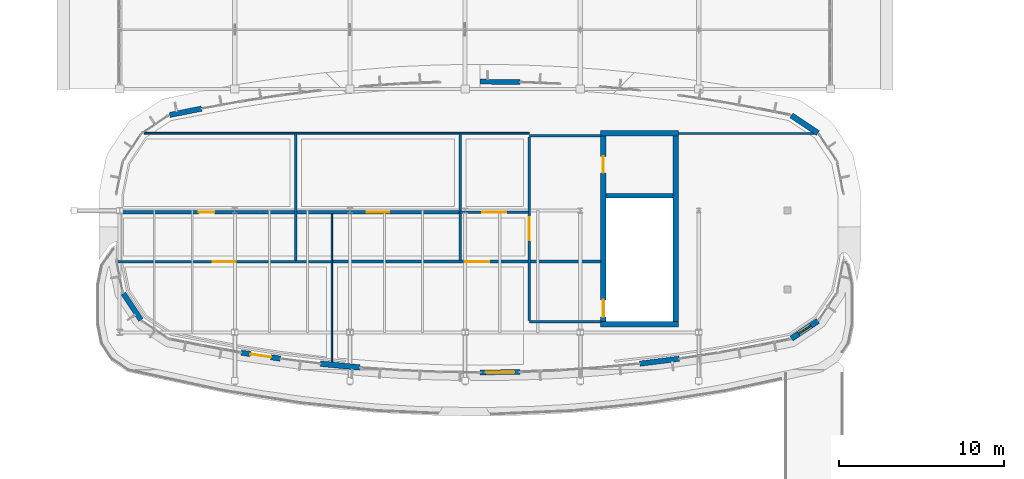
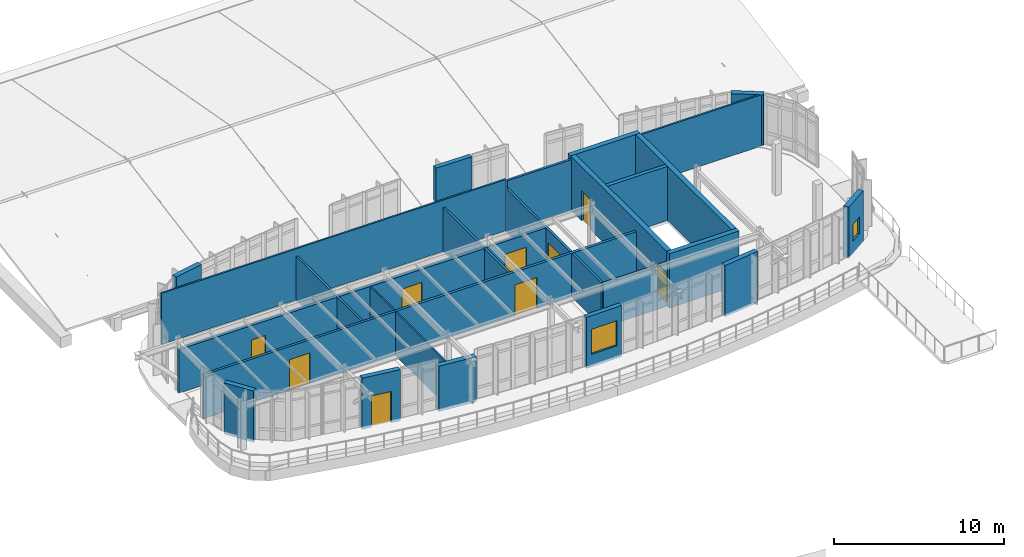
# One storey, part 85 of 105: 27 walls, 9 doors, 2 windows, 11 openings.
"""IFC4 building model written with IfcOpenShell, lengths in metres."""

from ifc_helpers import new_model, si_unit, direction, frame, frame_2d, origin, place, context, subcontext, project, spatial, rectangle, extrude, material, layer, layer_set, type_object, element, fill, save


model = new_model("IFC4")

# Units and contexts
model_context = context("Model", 3, precision=1e-05, world=origin(), true_north=direction((0.0, 1.0)))
body_context = subcontext(model_context, "Body", "Model", "MODEL_VIEW")
ifc_project = project(units=[si_unit("LENGTHUNIT", "METRE"), si_unit("AREAUNIT", "SQUARE_METRE"), si_unit("VOLUMEUNIT", "CUBIC_METRE"), si_unit("PLANEANGLEUNIT", "RADIAN"), si_unit("MASSUNIT", "GRAM", prefix="KILO")], contexts=[model_context])

# Site, building, storey
site_placement = place(None, origin())
site = spatial("IfcSite", under=ifc_project, at=site_placement, CompositionType="ELEMENT")
building_placement = place(site_placement, origin())
building = spatial("IfcBuilding", under=site, at=building_placement, Name="Corveleigh Park Community Centre", CompositionType="ELEMENT")
storey_placement = place(building_placement, frame((0.0, 0.0, 8.699951171875)))
storey = spatial("IfcBuildingStorey", under=building, at=storey_placement, Name="L02", CompositionType="ELEMENT", Elevation=8.699951171875)

# Wall, opening, window
ifc_material_1 = material(Name="Precast concrete C40/50", Category="concrete")
ifc_layer_1 = layer(ifc_material_1, 0.300048828125, Name="Precast concrete C40/50", Category="concrete")
ifc_layer_set_1 = layer_set([ifc_layer_1], Name="Precast concrete C40/50")
wall_type_1 = type_object("IfcWallType", Name="WL-EXT-300", PredefinedType="STANDARD", material=ifc_layer_set_1)
wall_1_placement = place(storey_placement, frame((35.52197265625, 75.593017578125, 0.0), z_axis=(0.0, 0.0, 1.0), x_axis=(-0.999906736586, -0.013657164047, 0.0)))
wall_1 = element("IfcWall", 1, at=wall_1_placement, inside=storey, type_object=wall_type_1, Name="V2 L02 Precast Facade Wall", PredefinedType="STANDARD", context=body_context, shape_type="SweptSolid", body=[
    extrude(rectangle(XDim=2.413330078125, YDim=0.300048828125, at=frame_2d((1.20654296875, 0.0))), origin(), (0.0, 0.0, 1.0), 3.679931640625),
])
opening_1_placement = place(wall_1_placement, frame((0.3310546875, 0.0, 0.89990234375)))
opening_1 = element("IfcOpeningElement", 2, at=opening_1_placement, cuts=wall_1, Name="Opening W15", PredefinedType="OPENING", context=body_context, shape_type="SweptSolid", body=[
    extrude(rectangle(XDim=1.75, YDim=1.800048828125, at=frame_2d((0.875, 0.89990234375))), frame((0.0, 0.159912109375, 0.0), z_axis=(0.0, -1.0, 0.0), x_axis=(1.0, 0.0, 0.0)), (0.0, 0.0, 1.0), 0.320068359375),
])
ifc_material_2 = material(Name="Low-E double glazing", Category="glass")
window_type_1 = type_object("IfcWindowType", Name="WIN-EXT-1750x1800", PartitioningType="SINGLE_PANEL", PredefinedType="WINDOW", material=ifc_material_2)
window_1_placement = place(opening_1_placement, origin())
window_1 = element("IfcWindow", 3, at=window_1_placement, inside=storey, type_object=window_type_1, Name="V2 L02 Window 63", OverallHeight=1.800048828125, OverallWidth=1.75, PartitioningType="SINGLE_PANEL", PredefinedType="WINDOW", context=body_context, shape_type="SweptSolid", body=[
    extrude(rectangle(XDim=1.75, YDim=1.800048828125, at=frame_2d((0.875, 0.89990234375))), frame((0.0, 0.030029296875, 0.0), z_axis=(0.0, -1.0, 0.0), x_axis=(1.0, 0.0, 0.0)), (0.0, 0.0, 1.0), 0.06005859375),
])
fill(opening_1, window_1)

# Wall
wall_2_placement = place(storey_placement, frame((33.10888671875, 93.239990234375, 0.0), z_axis=(0.0, 0.0, 1.0), x_axis=(0.999906736586, -0.013657164047, 0.0)))
element("IfcWall", 4, at=wall_2_placement, inside=storey, type_object=wall_type_1, Name="V2 L02 Precast Facade Wall", PredefinedType="STANDARD", context=body_context, shape_type="SweptSolid", body=[
    extrude(rectangle(XDim=2.413330078125, YDim=0.300048828125, at=frame_2d((1.20654296875, 0.0))), origin(), (0.0, 0.0, 1.0), 3.679931640625),
])

# Wall, opening, door
ifc_layer_2 = layer(ifc_material_1, 0.320068359375, Name="Precast concrete C40/50", Category="concrete")
ifc_layer_set_2 = layer_set([ifc_layer_2], Name="Precast concrete C40/50")
wall_type_2 = type_object("IfcWallType", Name="WL-EXT-320", PredefinedType="STANDARD", material=ifc_layer_set_2)
wall_3_placement = place(storey_placement, frame((20.970947265625, 76.39892578125, 0.0), z_axis=(0.0, 0.0, 1.0), x_axis=(-0.98843127708, 0.151669411848, 0.0)))
wall_3 = element("IfcWall", 5, at=wall_3_placement, inside=storey, type_object=wall_type_2, Name="V2 terrace wall", PredefinedType="STANDARD", context=body_context, shape_type="SweptSolid", body=[
    extrude(rectangle(XDim=2.412841796875, YDim=0.320068359375, at=frame_2d((1.20654296875, 0.0))), origin(), (0.0, 0.0, 1.0), 3.679931640625),
])
opening_2_placement = place(wall_3_placement, frame((0.575927734375, 0.0, 0.0)))
opening_2 = element("IfcOpeningElement", 6, at=opening_2_placement, cuts=wall_3, Name="Opening ED03", PredefinedType="OPENING", context=body_context, shape_type="SweptSolid", body=[
    extrude(rectangle(XDim=1.260009765625, YDim=2.260009765625, at=frame_2d((0.6298828125, 1.1298828125))), frame((0.0, 0.169921875, 0.0), z_axis=(0.0, -1.0, 0.0), x_axis=(1.0, 0.0, 0.0)), (0.0, 0.0, 1.0), 0.340087890625),
])
ifc_material_3 = material(Name="Powder-coated aluminium glazed door", Category="aluminium")
door_type_1 = type_object("IfcDoorType", Name="DR-EXT-1260x2260", OperationType="NOTDEFINED", PredefinedType="DOOR", material=ifc_material_3)
door_1_placement = place(opening_2_placement, origin())
door_1 = element("IfcDoor", 7, at=door_1_placement, inside=storey, type_object=door_type_1, Name="Sports Studio Courtyard Terrace access door", OperationType="SINGLE_SWING_LEFT", OverallHeight=2.260009765625, OverallWidth=1.260009765625, PredefinedType="DOOR", context=body_context, shape_type="SweptSolid", body=[
    extrude(rectangle(XDim=1.260009765625, YDim=2.260009765625, at=frame_2d((0.6298828125, 1.1298828125))), frame((0.0, 0.02490234375, 0.0), z_axis=(0.0, -1.0, 0.0), x_axis=(1.0, 0.0, 0.0)), (0.0, 0.0, 1.0), 0.050048828125),
])
fill(opening_2, door_1)

# Walls
wall_4_placement = place(storey_placement, frame((45.2109375, 76.39697265625, 0.0), z_axis=(0.0, 0.0, 1.0), x_axis=(-0.992243604842, -0.124308602482, 0.0)))
element("IfcWall", 8, at=wall_4_placement, inside=storey, type_object=wall_type_2, Name="V2 L02 Precast Facade Wall", PredefinedType="STANDARD", context=body_context, shape_type="SweptSolid", body=[
    extrude(rectangle(XDim=2.413818359375, YDim=0.320068359375, at=frame_2d((1.20703125, 0.0))), origin(), (0.0, 0.0, 1.0), 3.679931640625),
])
wall_5_placement = place(storey_placement, frame((14.243896484375, 91.214111328125, 0.0), z_axis=(0.0, 0.0, 1.0), x_axis=(0.980837238623, 0.194828928369, 0.0)))
element("IfcWall", 9, at=wall_5_placement, inside=storey, type_object=wall_type_2, Name="V2 L02 Precast Facade Wall", PredefinedType="STANDARD", context=body_context, shape_type="SweptSolid", body=[
    extrude(rectangle(XDim=1.969970703125, YDim=0.320068359375, at=frame_2d((0.98486328125, 0.0))), origin(), (0.0, 0.0, 1.0), 3.679931640625),
])
wall_6_placement = place(storey_placement, frame((12.492919921875, 78.7548828125, 0.0), z_axis=(0.0, 0.0, 1.0), x_axis=(-0.555020723602, 0.83183652022, 0.0)))
element("IfcWall", 10, at=wall_6_placement, inside=storey, type_object=wall_type_2, Name="V2 L02 Precast Facade Wall", PredefinedType="STANDARD", context=body_context, shape_type="SweptSolid", body=[
    extrude(rectangle(XDim=1.933349609375, YDim=0.320068359375, at=frame_2d((0.966796875, 0.0))), origin(), (0.0, 0.0, 1.0), 3.679931640625),
])
ifc_layer_3 = layer(ifc_material_1, 0.340087890625, Name="Precast concrete C40/50", Category="concrete")
ifc_layer_set_3 = layer_set([ifc_layer_3], Name="Precast concrete C40/50")
wall_type_3 = type_object("IfcWallType", Name="WL-EXT-340", PredefinedType="STANDARD", material=ifc_layer_set_3)
wall_7_placement = place(storey_placement, frame((25.803955078125, 75.863037109375, 0.0), z_axis=(0.0, 0.0, 1.0), x_axis=(-0.995370018643, 0.096117251241, 0.0)))
element("IfcWall", 11, at=wall_7_placement, inside=storey, type_object=wall_type_3, Name="V2 L02 Precast Facade Wall", PredefinedType="STANDARD", context=body_context, shape_type="SweptSolid", body=[
    extrude(rectangle(XDim=2.4130859375, YDim=0.340087890625, at=frame_2d((1.20654296875, 0.0))), origin(), (0.0, 0.0, 1.0), 3.259033203125),
])

# Wall, opening, window
wall_8_placement = place(storey_placement, frame((53.64501953125, 78.693115234375, 0.0), z_axis=(0.0, 0.0, 1.0), x_axis=(-0.831797612377, -0.55507903225, 0.0)))
wall_8 = element("IfcWall", 12, at=wall_8_placement, inside=storey, type_object=wall_type_3, Name="V2 L02 Precast Facade Wall", PredefinedType="STANDARD", context=body_context, shape_type="SweptSolid", body=[
    extrude(rectangle(XDim=1.93310546875, YDim=0.340087890625, at=frame_2d((0.966552734375, 0.0))), origin(), (0.0, 0.0, 1.0), 3.679931640625),
])
opening_3_placement = place(wall_8_placement, frame((0.51611328125, 0.0, 0.89990234375)))
opening_3 = element("IfcOpeningElement", 13, at=opening_3_placement, cuts=wall_8, Name="Opening W01", PredefinedType="OPENING", context=body_context, shape_type="SweptSolid", body=[
    extrude(rectangle(XDim=0.89990234375, YDim=1.199951171875, at=frame_2d((0.449951171875, 0.60009765625))), frame((0.0, 0.179931640625, 0.0), z_axis=(0.0, -1.0, 0.0), x_axis=(1.0, 0.0, 0.0)), (0.0, 0.0, 1.0), 0.360107421875),
])
window_type_2 = type_object("IfcWindowType", Name="WIN-EXT-0900x1200", PartitioningType="SINGLE_PANEL", PredefinedType="WINDOW", material=ifc_material_2)
window_2_placement = place(opening_3_placement, origin())
window_2 = element("IfcWindow", 14, at=window_2_placement, inside=storey, type_object=window_type_2, Name="V2 L02 Window 64", OverallHeight=1.199951171875, OverallWidth=0.89990234375, PartitioningType="SINGLE_PANEL", PredefinedType="WINDOW", context=body_context, shape_type="SweptSolid", body=[
    extrude(rectangle(XDim=0.89990234375, YDim=1.199951171875, at=frame_2d((0.449951171875, 0.60009765625))), frame((0.0, 0.030029296875, 0.0), z_axis=(0.0, -1.0, 0.0), x_axis=(1.0, 0.0, 0.0)), (0.0, 0.0, 1.0), 0.06005859375),
])
fill(opening_3, window_2)

# Walls
wall_9_placement = place(storey_placement, frame((52.037109375, 91.179931640625, 0.0), z_axis=(0.0, 0.0, 1.0), x_axis=(0.831797612377, -0.55507903225, 0.0)))
element("IfcWall", 15, at=wall_9_placement, inside=storey, type_object=wall_type_3, Name="V2 L02 Precast Facade Wall", PredefinedType="STANDARD", context=body_context, shape_type="SweptSolid", body=[
    extrude(rectangle(XDim=1.93310546875, YDim=0.340087890625, at=frame_2d((0.966552734375, 0.0))), origin(), (0.0, 0.0, 1.0), 3.679931640625),
])
ifc_material_4 = material(Name="Gypsum acoustic stud partition", Category="gypsum")
ifc_layer_4 = layer(ifc_material_4, 0.10009765625, Name="Gypsum acoustic stud partition", Category="gypsum")
ifc_layer_set_4 = layer_set([ifc_layer_4], Name="Gypsum acoustic stud partition")
wall_type_4 = type_object("IfcWallType", Name="WL-PRT-100", PredefinedType="PARTITIONING", material=ifc_layer_set_4)
wall_10_placement = place(storey_placement, frame((24.10009765625, 76.18603515625, 0.0), z_axis=(0.0, 0.0, 1.0), x_axis=(0.0, 1.0, 0.0)))
element("IfcWall", 16, at=wall_10_placement, inside=storey, type_object=wall_type_4, Name="Youth Media Studio partition", PredefinedType="PARTITIONING", context=body_context, shape_type="SweptSolid", body=[
    extrude(rectangle(XDim=9.01806640625, YDim=0.10009765625, at=frame_2d((4.509033203125, 0.0))), origin(), (0.0, 0.0, 1.0), 3.14013671875),
])
ifc_layer_5 = layer(ifc_material_4, 0.114990234375, Name="Gypsum acoustic stud partition", Category="gypsum")
ifc_layer_set_5 = layer_set([ifc_layer_5], Name="Gypsum acoustic stud partition")
wall_type_5 = type_object("IfcWallType", Name="WL-PRT-115", PredefinedType="PARTITIONING", material=ifc_layer_set_5)
wall_11_placement = place(storey_placement, frame((12.68896484375, 90.10009765625, 0.0), z_axis=(0.0, 0.0, 1.0), x_axis=(1.0, 0.0, 0.0)))
element("IfcWall", 17, at=wall_11_placement, inside=storey, type_object=wall_type_5, Name="Youth Mentoring Suite partition", PredefinedType="PARTITIONING", context=body_context, shape_type="SweptSolid", body=[
    extrude(rectangle(XDim=23.4111328125, YDim=0.114990234375, at=frame_2d((11.70556640625, 0.0))), origin(), (0.0, 0.0, 1.0), 3.679931640625),
])
ifc_layer_6 = layer(ifc_material_4, 0.125, Name="Gypsum acoustic stud partition", Category="gypsum")
ifc_layer_set_6 = layer_set([ifc_layer_6], Name="Gypsum acoustic stud partition")
wall_type_6 = type_object("IfcWallType", Name="WL-PRT-125", PredefinedType="PARTITIONING", material=ifc_layer_set_6)
wall_12_placement = place(storey_placement, frame((45.1630859375, 90.10009765625, 0.0), z_axis=(0.0, 0.0, 1.0), x_axis=(1.0, 0.0, 0.0)))
element("IfcWall", 18, at=wall_12_placement, inside=storey, type_object=wall_type_6, Name="Youth Mentoring Suite partition", PredefinedType="PARTITIONING", context=body_context, shape_type="SweptSolid", body=[
    extrude(rectangle(XDim=8.347900390625, YDim=0.125, at=frame_2d((4.173828125, 0.0))), origin(), (0.0, 0.0, 1.0), 3.679931640625),
])
ifc_layer_7 = layer(ifc_material_4, 0.139892578125, Name="Gypsum acoustic stud partition", Category="gypsum")
ifc_layer_set_7 = layer_set([ifc_layer_7], Name="Gypsum acoustic stud partition")
wall_type_7 = type_object("IfcWallType", Name="WL-PRT-140", PredefinedType="PARTITIONING", material=ifc_layer_set_7)
wall_13_placement = place(storey_placement, frame((21.89990234375, 82.3701171875, 0.0), z_axis=(0.0, 0.0, 1.0), x_axis=(0.0, 1.0, 0.0)))
element("IfcWall", 19, at=wall_13_placement, inside=storey, type_object=wall_type_7, Name="Youth Mentoring Suite partition", PredefinedType="PARTITIONING", context=body_context, shape_type="SweptSolid", body=[
    extrude(rectangle(XDim=7.683837890625, YDim=0.139892578125, at=frame_2d((3.841796875, 0.0))), origin(), (0.0, 0.0, 1.0), 3.14013671875),
])
ifc_layer_8 = layer(ifc_material_4, 0.14990234375, Name="Gypsum acoustic stud partition", Category="gypsum")
ifc_layer_set_8 = layer_set([ifc_layer_8], Name="Gypsum acoustic stud partition")
wall_type_8 = type_object("IfcWallType", Name="WL-PRT-150", PredefinedType="PARTITIONING", material=ifc_layer_set_8)
wall_14_placement = place(storey_placement, frame((36.10009765625, 78.64990234375, 0.0), z_axis=(0.0, 0.0, 1.0), x_axis=(1.0, 0.0, 0.0)))
element("IfcWall", 20, at=wall_14_placement, inside=storey, type_object=wall_type_8, Name="CORE3 lobby south wall", PredefinedType="PARTITIONING", context=body_context, shape_type="SweptSolid", body=[
    extrude(rectangle(XDim=4.352783203125, YDim=0.14990234375, at=frame_2d((2.17626953125, 0.0))), origin(), (0.0, 0.0, 1.0), 3.14306640625),
])
wall_15_placement = place(storey_placement, frame((40.452880859375, 89.949951171875, 0.0), z_axis=(0.0, 0.0, 1.0), x_axis=(-1.0, 0.0, 0.0)))
element("IfcWall", 21, at=wall_15_placement, inside=storey, type_object=wall_type_8, Name="CORE3 lobby north wall", PredefinedType="PARTITIONING", context=body_context, shape_type="SweptSolid", body=[
    extrude(rectangle(XDim=4.352783203125, YDim=0.14990234375, at=frame_2d((2.17626953125, 0.0))), origin(), (0.0, 0.0, 1.0), 3.679931640625),
])

# Wall, opening, door
wall_16_placement = place(storey_placement, frame((36.10009765625, 89.8701171875, 0.0), z_axis=(0.0, 0.0, 1.0), x_axis=(0.0, -1.0, 0.0)))
wall_16 = element("IfcWall", 22, at=wall_16_placement, inside=storey, type_object=wall_type_8, Name="CORE3 lobby corridor wall", PredefinedType="PARTITIONING", context=body_context, shape_type="SweptSolid", body=[
    extrude(rectangle(XDim=11.14013671875, YDim=0.14990234375, at=frame_2d((5.570068359375, 0.0))), origin(), (0.0, 0.0, 1.0), 3.14013671875),
])
opening_4_placement = place(wall_16_placement, frame((4.8798828125, 0.0, 0.0)))
opening_4 = element("IfcOpeningElement", 23, at=opening_4_placement, cuts=wall_16, Name="Opening FD02", PredefinedType="OPENING", context=body_context, shape_type="SweptSolid", body=[
    extrude(rectangle(XDim=1.3798828125, YDim=2.199951171875, at=frame_2d((0.68994140625, 1.10009765625))), frame((0.0, 0.0849609375, 0.0), z_axis=(0.0, -1.0, 0.0), x_axis=(1.0, 0.0, 0.0)), (0.0, 0.0, 1.0), 0.169921875),
])
ifc_material_5 = material(Name="Hardwood acoustic door leaf", Category="wood")
door_type_2 = type_object("IfcDoorType", Name="DR-FIR-1380x2200", OperationType="DOUBLE_DOOR_SINGLE_SWING", PredefinedType="DOOR", material=ifc_material_5)
door_2_placement = place(opening_4_placement, origin())
door_2 = element("IfcDoor", 24, at=door_2_placement, inside=storey, type_object=door_type_2, Name="Lobby CORE3 corridor door L02", OperationType="DOUBLE_DOOR_SINGLE_SWING", OverallHeight=2.199951171875, OverallWidth=1.3798828125, PredefinedType="DOOR", context=body_context, shape_type="SweptSolid", body=[
    extrude(rectangle(XDim=1.3798828125, YDim=2.199951171875, at=frame_2d((0.68994140625, 1.10009765625))), frame((0.0, 0.02490234375, 0.0), z_axis=(0.0, -1.0, 0.0), x_axis=(1.0, 0.0, 0.0)), (0.0, 0.0, 1.0), 0.050048828125),
])
fill(opening_4, door_2)

# Wall
wall_17_placement = place(storey_placement, frame((31.89990234375, 82.3779296875, 0.0), z_axis=(0.0, 0.0, 1.0), x_axis=(0.0, 1.0, 0.0)))
element("IfcWall", 25, at=wall_17_placement, inside=storey, type_object=wall_type_8, Name="Youth Study Lounge partition", PredefinedType="PARTITIONING", context=body_context, shape_type="SweptSolid", body=[
    extrude(rectangle(XDim=7.676025390625, YDim=0.14990234375, at=frame_2d((3.837890625, 0.0))), origin(), (0.0, 0.0, 1.0), 3.14013671875),
])

# Wall, opening, door
ifc_layer_9 = layer(ifc_material_4, 0.1650390625, Name="Gypsum acoustic stud partition", Category="gypsum")
ifc_layer_set_9 = layer_set([ifc_layer_9], Name="Gypsum acoustic stud partition")
wall_type_9 = type_object("IfcWallType", Name="WL-PRT-165", PredefinedType="PARTITIONING", material=ifc_layer_set_9)
wall_18_placement = place(storey_placement, frame((11.01708984375, 82.300048828125, 0.0), z_axis=(0.0, 0.0, 1.0), x_axis=(1.0, 0.0, 0.0)))
wall_18 = element("IfcWall", 26, at=wall_18_placement, inside=storey, type_object=wall_type_9, Name="Youth Media Studio corridor wall", PredefinedType="PARTITIONING", context=body_context, shape_type="SweptSolid", body=[
    extrude(rectangle(XDim=13.0830078125, YDim=0.1650390625, at=frame_2d((6.54150390625, 0.0))), origin(), (0.0, 0.0, 1.0), 3.14306640625),
])
opening_5_placement = place(wall_18_placement, frame((5.85205078125, 0.0, 0.0)))
opening_5 = element("IfcOpeningElement", 27, at=opening_5_placement, cuts=wall_18, Name="Opening FD02", PredefinedType="OPENING", context=body_context, shape_type="SweptSolid", body=[
    extrude(rectangle(XDim=1.3798828125, YDim=2.199951171875, at=frame_2d((0.68994140625, 1.10009765625))), frame((0.0, 0.092529296875, 0.0), z_axis=(0.0, -1.0, 0.0), x_axis=(1.0, 0.0, 0.0)), (0.0, 0.0, 1.0), 0.18505859375),
])
door_3_placement = place(opening_5_placement, origin())
door_3 = element("IfcDoor", 28, at=door_3_placement, inside=storey, type_object=door_type_2, Name="Youth Media Studio door", OperationType="DOUBLE_DOOR_SINGLE_SWING", OverallHeight=2.199951171875, OverallWidth=1.3798828125, PredefinedType="DOOR", context=body_context, shape_type="SweptSolid", body=[
    extrude(rectangle(XDim=1.3798828125, YDim=2.199951171875, at=frame_2d((0.68994140625, 1.10009765625))), frame((0.0, 0.02490234375, 0.0), z_axis=(0.0, -1.0, 0.0), x_axis=(1.0, 0.0, 0.0)), (0.0, 0.0, 1.0), 0.050048828125),
])
fill(opening_5, door_3)

wall_19_placement = place(storey_placement, frame((36.037109375, 85.300048828125, 0.0), z_axis=(0.0, 0.0, 1.0), x_axis=(-1.0, 0.0, 0.0)))
wall_19 = element("IfcWall", 29, at=wall_19_placement, inside=storey, type_object=wall_type_9, Name="Accessible WC V2 L02 corridor wall", PredefinedType="PARTITIONING", context=body_context, shape_type="SweptSolid", body=[
    extrude(rectangle(XDim=4.13720703125, YDim=0.1650390625, at=frame_2d((2.068603515625, 0.0))), origin(), (0.0, 0.0, 1.0), 3.14013671875),
])
opening_6_placement = place(wall_19_placement, frame((1.3291015625, 0.0, 0.0)))
opening_6 = element("IfcOpeningElement", 30, at=opening_6_placement, cuts=wall_19, Name="Opening FD01", PredefinedType="OPENING", context=body_context, shape_type="SweptSolid", body=[
    extrude(rectangle(XDim=1.47998046875, YDim=2.219970703125, at=frame_2d((0.739990234375, 1.10986328125))), frame((0.0, 0.092529296875, 0.0), z_axis=(0.0, -1.0, 0.0), x_axis=(1.0, 0.0, 0.0)), (0.0, 0.0, 1.0), 0.18505859375),
])
door_type_3 = type_object("IfcDoorType", Name="DR-FIR-1480x2220", OperationType="DOUBLE_DOOR_SINGLE_SWING", PredefinedType="DOOR", material=ifc_material_5)
door_4_placement = place(opening_6_placement, origin())
door_4 = element("IfcDoor", 31, at=door_4_placement, inside=storey, type_object=door_type_3, Name="Accessible WC V2 L02 door", OperationType="DOUBLE_DOOR_SINGLE_SWING", OverallHeight=2.219970703125, OverallWidth=1.47998046875, PredefinedType="DOOR", context=body_context, shape_type="SweptSolid", body=[
    extrude(rectangle(XDim=1.47998046875, YDim=2.219970703125, at=frame_2d((0.739990234375, 1.10986328125))), frame((0.0, 0.02490234375, 0.0), z_axis=(0.0, -1.0, 0.0), x_axis=(1.0, 0.0, 0.0)), (0.0, 0.0, 1.0), 0.050048828125),
])
fill(opening_6, door_4)

ifc_layer_10 = layer(ifc_material_4, 0.179931640625, Name="Gypsum acoustic stud partition", Category="gypsum")
ifc_layer_set_10 = layer_set([ifc_layer_10], Name="Gypsum acoustic stud partition")
wall_type_10 = type_object("IfcWallType", Name="WL-PRT-180", PredefinedType="PARTITIONING", material=ifc_layer_set_10)
wall_20_placement = place(storey_placement, frame((24.10009765625, 82.300048828125, 0.0), z_axis=(0.0, 0.0, 1.0), x_axis=(1.0, 0.0, 0.0)))
wall_20 = element("IfcWall", 32, at=wall_20_placement, inside=storey, type_object=wall_type_10, Name="Homework Classroom V2 corridor wall", PredefinedType="PARTITIONING", context=body_context, shape_type="SweptSolid", body=[
    extrude(rectangle(XDim=16.349853515625, YDim=0.179931640625, at=frame_2d((8.1748046875, 0.0))), origin(), (0.0, 0.0, 1.0), 3.14306640625),
])
opening_7_placement = place(wall_20_placement, frame((8.094970703125, 0.0, 0.0)))
opening_7 = element("IfcOpeningElement", 33, at=opening_7_placement, cuts=wall_20, Name="Opening FD01", PredefinedType="OPENING", context=body_context, shape_type="SweptSolid", body=[
    extrude(rectangle(XDim=1.47998046875, YDim=2.219970703125, at=frame_2d((0.739990234375, 1.10986328125))), frame((0.0, 0.099853515625, 0.0), z_axis=(0.0, -1.0, 0.0), x_axis=(1.0, 0.0, 0.0)), (0.0, 0.0, 1.0), 0.199951171875),
])
door_5_placement = place(opening_7_placement, origin())
door_5 = element("IfcDoor", 34, at=door_5_placement, inside=storey, type_object=door_type_3, Name="Homework Classroom V2 door", OperationType="DOUBLE_DOOR_SINGLE_SWING", OverallHeight=2.219970703125, OverallWidth=1.47998046875, PredefinedType="DOOR", context=body_context, shape_type="SweptSolid", body=[
    extrude(rectangle(XDim=1.47998046875, YDim=2.219970703125, at=frame_2d((0.739990234375, 1.10986328125))), frame((0.0, 0.02490234375, 0.0), z_axis=(0.0, -1.0, 0.0), x_axis=(1.0, 0.0, 0.0)), (0.0, 0.0, 1.0), 0.050048828125),
])
fill(opening_7, door_5)

ifc_material_6 = material(Name="Masonry blockwork 7.3 MPa", Category="masonry")
ifc_layer_11 = layer(ifc_material_6, 0.195068359375, Name="Masonry blockwork 7.3 MPa", Category="masonry")
ifc_layer_set_11 = layer_set([ifc_layer_11], Name="Masonry blockwork 7.3 MPa")
wall_type_11 = type_object("IfcWallType", Name="WL-PRT-195", PredefinedType="PARTITIONING", material=ifc_layer_set_11)
wall_21_placement = place(storey_placement, frame((21.89990234375, 85.300048828125, 0.0), z_axis=(0.0, 0.0, 1.0), x_axis=(-1.0, 0.0, 0.0)))
wall_21 = element("IfcWall", 35, at=wall_21_placement, inside=storey, type_object=wall_type_11, Name="Youth Mentoring Suite corridor wall", PredefinedType="PARTITIONING", context=body_context, shape_type="SweptSolid", body=[
    extrude(rectangle(XDim=10.827880859375, YDim=0.195068359375, at=frame_2d((5.4140625, 0.0))), origin(), (0.0, 0.0, 1.0), 3.14013671875),
])
opening_8_placement = place(wall_21_placement, frame((4.944091796875, 0.0, 0.0)))
opening_8 = element("IfcOpeningElement", 36, at=opening_8_placement, cuts=wall_21, Name="Opening FD09", PredefinedType="OPENING", context=body_context, shape_type="SweptSolid", body=[
    extrude(rectangle(XDim=0.93994140625, YDim=2.10009765625, at=frame_2d((0.469970703125, 1.050048828125))), frame((0.0, 0.107421875, 0.0), z_axis=(0.0, -1.0, 0.0), x_axis=(1.0, 0.0, 0.0)), (0.0, 0.0, 1.0), 0.215087890625),
])
door_type_4 = type_object("IfcDoorType", Name="DR-FIR-0940x2100", OperationType="NOTDEFINED", PredefinedType="DOOR", material=ifc_material_5)
door_6_placement = place(opening_8_placement, origin())
door_6 = element("IfcDoor", 37, at=door_6_placement, inside=storey, type_object=door_type_4, Name="Youth Mentoring Suite door", OperationType="SINGLE_SWING_RIGHT", OverallHeight=2.10009765625, OverallWidth=0.93994140625, PredefinedType="DOOR", context=body_context, shape_type="SweptSolid", body=[
    extrude(rectangle(XDim=0.93994140625, YDim=2.10009765625, at=frame_2d((0.469970703125, 1.050048828125))), frame((0.0, 0.02490234375, 0.0), z_axis=(0.0, -1.0, 0.0), x_axis=(1.0, 0.0, 0.0)), (0.0, 0.0, 1.0), 0.050048828125),
])
fill(opening_8, door_6)

ifc_layer_12 = layer(ifc_material_6, 0.215087890625, Name="Masonry blockwork 7.3 MPa", Category="masonry")
ifc_layer_set_12 = layer_set([ifc_layer_12], Name="Masonry blockwork 7.3 MPa")
wall_type_12 = type_object("IfcWallType", Name="WL-PRT-215", PredefinedType="PARTITIONING", material=ifc_layer_set_12)
wall_22_placement = place(storey_placement, frame((31.89990234375, 85.300048828125, 0.0), z_axis=(0.0, 0.0, 1.0), x_axis=(-1.0, 0.0, 0.0)))
wall_22 = element("IfcWall", 38, at=wall_22_placement, inside=storey, type_object=wall_type_12, Name="Youth Study Lounge corridor wall", PredefinedType="PARTITIONING", context=body_context, shape_type="SweptSolid", body=[
    extrude(rectangle(XDim=10.0, YDim=0.215087890625, at=frame_2d((5.0, 0.0))), origin(), (0.0, 0.0, 1.0), 3.14013671875),
])
opening_9_placement = place(wall_22_placement, frame((4.31005859375, 0.0, 0.0)))
opening_9 = element("IfcOpeningElement", 39, at=opening_9_placement, cuts=wall_22, Name="Opening FD02", PredefinedType="OPENING", context=body_context, shape_type="SweptSolid", body=[
    extrude(rectangle(XDim=1.3798828125, YDim=2.199951171875, at=frame_2d((0.68994140625, 1.10009765625))), frame((0.0, 0.117431640625, 0.0), z_axis=(0.0, -1.0, 0.0), x_axis=(1.0, 0.0, 0.0)), (0.0, 0.0, 1.0), 0.235107421875),
])
door_7_placement = place(opening_9_placement, origin())
door_7 = element("IfcDoor", 40, at=door_7_placement, inside=storey, type_object=door_type_2, Name="Youth Study Lounge door", OperationType="DOUBLE_DOOR_SINGLE_SWING", OverallHeight=2.199951171875, OverallWidth=1.3798828125, PredefinedType="DOOR", context=body_context, shape_type="SweptSolid", body=[
    extrude(rectangle(XDim=1.3798828125, YDim=2.199951171875, at=frame_2d((0.68994140625, 1.10009765625))), frame((0.0, 0.02490234375, 0.0), z_axis=(0.0, -1.0, 0.0), x_axis=(1.0, 0.0, 0.0)), (0.0, 0.0, 1.0), 0.050048828125),
])
fill(opening_9, door_7)

# Walls
ifc_material_7 = material(Name="Concrete C40/50", Category="concrete")
ifc_layer_13 = layer(ifc_material_7, 0.25, Name="Concrete C40/50", Category="concrete")
ifc_layer_set_13 = layer_set([ifc_layer_13], Name="Concrete C40/50")
wall_type_13 = type_object("IfcWallType", Name="WL-SHR-250", PredefinedType="SHEAR", material=ifc_layer_set_13)
wall_23_placement = place(storey_placement, frame((40.762939453125, 86.300048828125, 0.0), z_axis=(0.0, 0.0, 1.0), x_axis=(1.0, 0.0, 0.0)))
element("IfcWall", 41, at=wall_23_placement, inside=storey, type_object=wall_type_13, Name="CORE3 shaft wall", PredefinedType="SHEAR", context=body_context, shape_type="SweptSolid", body=[
    extrude(rectangle(XDim=4.073974609375, YDim=0.25, at=frame_2d((2.037109375, 0.0))), origin(), (0.0, 0.0, 1.0), 3.900146484375),
])
ifc_layer_14 = layer(ifc_material_7, 0.324951171875, Name="Concrete C40/50", Category="concrete")
ifc_layer_set_14 = layer_set([ifc_layer_14], Name="Concrete C40/50")
wall_type_14 = type_object("IfcWallType", Name="WL-SHR-325", PredefinedType="SHEAR", material=ifc_layer_set_14)
wall_24_placement = place(storey_placement, frame((40.43798828125, 78.5, 0.0), z_axis=(0.0, 0.0, 1.0), x_axis=(1.0, 0.0, 0.0)))
element("IfcWall", 42, at=wall_24_placement, inside=storey, type_object=wall_type_14, Name="CORE3 south shear wall", PredefinedType="SHEAR", context=body_context, shape_type="SweptSolid", body=[
    extrude(rectangle(XDim=4.72509765625, YDim=0.324951171875, at=frame_2d((2.362548828125, 0.0))), origin(), (0.0, 0.0, 1.0), 3.900146484375),
])
wall_25_placement = place(storey_placement, frame((45.0, 78.662109375, 0.0), z_axis=(0.0, 0.0, 1.0), x_axis=(0.0, 1.0, 0.0)))
element("IfcWall", 43, at=wall_25_placement, inside=storey, type_object=wall_type_14, Name="CORE3 east shear wall", PredefinedType="SHEAR", context=body_context, shape_type="SweptSolid", body=[
    extrude(rectangle(XDim=11.27587890625, YDim=0.324951171875, at=frame_2d((5.637939453125, 0.0))), origin(), (0.0, 0.0, 1.0), 3.900146484375),
])
wall_26_placement = place(storey_placement, frame((45.1630859375, 90.10009765625, 0.0), z_axis=(0.0, 0.0, 1.0), x_axis=(-1.0, 0.0, 0.0)))
element("IfcWall", 44, at=wall_26_placement, inside=storey, type_object=wall_type_14, Name="CORE3 north shear wall", PredefinedType="SHEAR", context=body_context, shape_type="SweptSolid", body=[
    extrude(rectangle(XDim=4.72509765625, YDim=0.324951171875, at=frame_2d((2.362548828125, 0.0))), origin(), (0.0, 0.0, 1.0), 3.900146484375),
])

# Wall, openings, doors
wall_27_placement = place(storey_placement, frame((40.60009765625, 89.93798828125, 0.0), z_axis=(0.0, 0.0, 1.0), x_axis=(0.0, -1.0, 0.0)))
wall_27 = element("IfcWall", 45, at=wall_27_placement, inside=storey, type_object=wall_type_14, Name="CORE3 west lobby wall", PredefinedType="SHEAR", context=body_context, shape_type="SweptSolid", body=[
    extrude(rectangle(XDim=11.27587890625, YDim=0.324951171875, at=frame_2d((5.637939453125, 0.0))), origin(), (0.0, 0.0, 1.0), 3.900146484375),
])
opening_10_placement = place(wall_27_placement, frame((1.238037109375, 0.0, 0.0)))
opening_10 = element("IfcOpeningElement", 46, at=opening_10_placement, cuts=wall_27, Name="Opening LD02", PredefinedType="OPENING", context=body_context, shape_type="SweptSolid", body=[
    extrude(rectangle(XDim=1.0, YDim=2.14990234375, at=frame_2d((0.5, 1.074951171875))), frame((0.0, 0.17236328125, 0.0), z_axis=(0.0, -1.0, 0.0), x_axis=(1.0, 0.0, 0.0)), (0.0, 0.0, 1.0), 0.344970703125),
])
opening_11_placement = place(wall_27_placement, frame((9.9580078125, 0.0, 0.0)))
opening_11 = element("IfcOpeningElement", 47, at=opening_11_placement, cuts=wall_27, Name="Opening FD04", PredefinedType="OPENING", context=body_context, shape_type="SweptSolid", body=[
    extrude(rectangle(XDim=1.06005859375, YDim=2.14990234375, at=frame_2d((0.530029296875, 1.074951171875))), frame((0.0, 0.17236328125, 0.0), z_axis=(0.0, -1.0, 0.0), x_axis=(1.0, 0.0, 0.0)), (0.0, 0.0, 1.0), 0.344970703125),
])
door_type_5 = type_object("IfcDoorType", Name="DR-FIR-1060x2150", OperationType="NOTDEFINED", PredefinedType="DOOR", material=ifc_material_5)
door_8_placement = place(opening_11_placement, origin())
door_8 = element("IfcDoor", 48, at=door_8_placement, inside=storey, type_object=door_type_5, Name="Stair ST3 fire door L02", OperationType="SINGLE_SWING_RIGHT", OverallHeight=2.14990234375, OverallWidth=1.06005859375, PredefinedType="DOOR", context=body_context, shape_type="SweptSolid", body=[
    extrude(rectangle(XDim=1.06005859375, YDim=2.14990234375, at=frame_2d((0.530029296875, 1.074951171875))), frame((0.0, 0.02490234375, 0.0), z_axis=(0.0, -1.0, 0.0), x_axis=(1.0, 0.0, 0.0)), (0.0, 0.0, 1.0), 0.050048828125),
])
fill(opening_11, door_8)
ifc_material_8 = material(Name="Brushed stainless steel lift car", Category="steel")
door_type_6 = type_object("IfcDoorType", Name="DR-LFT-1000x2150", OperationType="SLIDING_TO_LEFT", PredefinedType="DOOR", material=ifc_material_8)
door_9_placement = place(opening_10_placement, origin())
door_9 = element("IfcDoor", 49, at=door_9_placement, inside=storey, type_object=door_type_6, Name="Lift PL1 landing door L02", OperationType="SLIDING_TO_LEFT", OverallHeight=2.14990234375, OverallWidth=1.0, PredefinedType="DOOR", context=body_context, shape_type="SweptSolid", body=[
    extrude(rectangle(XDim=1.0, YDim=2.14990234375, at=frame_2d((0.5, 1.074951171875))), frame((0.0, 0.02490234375, 0.0), z_axis=(0.0, -1.0, 0.0), x_axis=(1.0, 0.0, 0.0)), (0.0, 0.0, 1.0), 0.050048828125),
])
fill(opening_10, door_9)

save(model, "model.ifc")
